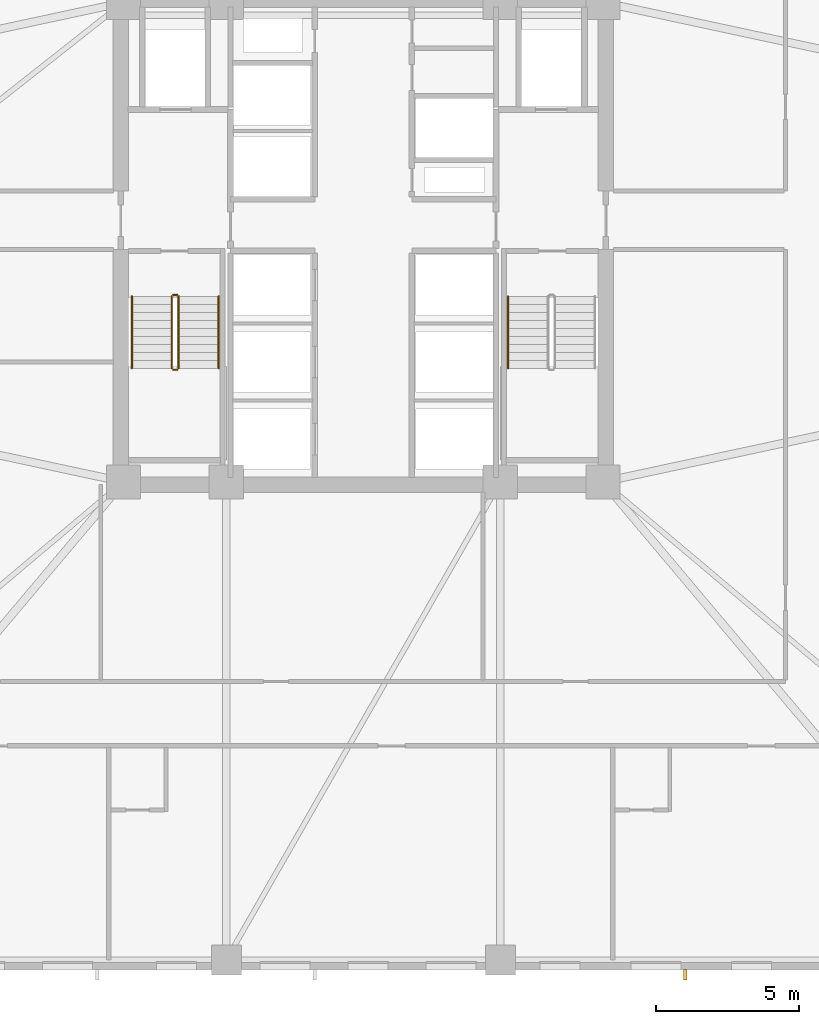
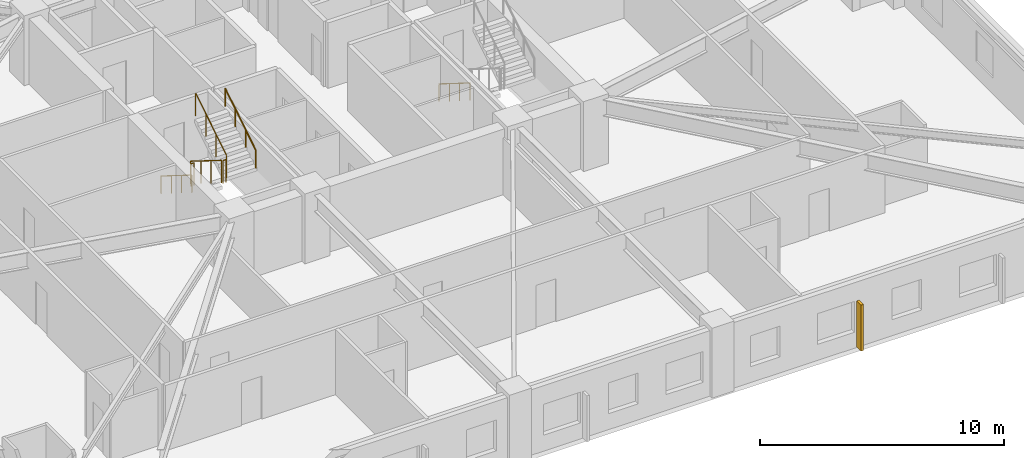
# One storey, part 8 of 11: 7 railings, 1 shading device.
"""IFC4 building model written with IfcOpenShell, lengths in metres."""

from ifc_helpers import new_model, si_unit, direction, frame, origin, origin_2d, place, context, subcontext, project, spatial, rectangle, circle, extrude, material, type_object, element, save


model = new_model("IFC4")

# Units and contexts
model_context = context("Model", 3, precision=1e-05, world=origin(), true_north=direction((0.0, 1.0)))
body_context = subcontext(model_context, "Body", "Model", "MODEL_VIEW")
ifc_project = project(units=[si_unit("LENGTHUNIT", "METRE"), si_unit("AREAUNIT", "SQUARE_METRE"), si_unit("VOLUMEUNIT", "CUBIC_METRE"), si_unit("PLANEANGLEUNIT", "RADIAN"), si_unit("MASSUNIT", "GRAM", prefix="KILO")], contexts=[model_context])

# Site, building, storey
site_placement = place(None, origin())
site = spatial("IfcSite", under=ifc_project, at=site_placement, CompositionType="ELEMENT")
building_placement = place(site_placement, origin())
building = spatial("IfcBuilding", under=site, at=building_placement, Name="Cairnveth Concourse Tower", CompositionType="ELEMENT")
storey_placement = place(building_placement, frame((0.0, 0.0, 65.5)))
storey = spatial("IfcBuildingStorey", under=building, at=storey_placement, Name="L17", CompositionType="ELEMENT", Elevation=65.5)

# Shading device
ifc_material_1 = material(Name="Architectural Bronze Anodised Aluminium 6063-T6", Category="aluminium")
shading_device_type = type_object("IfcShadingDeviceType", Name="GOTHIC BRONZE VERTICAL LANCET FIN", PredefinedType="USERDEFINED", material=ifc_material_1)
shading_device_placement = place(storey_placement, frame((63.284423828125, 13.324951171875, 0.02978515625), z_axis=(0.0, 0.0, 1.0), x_axis=(1.0, 0.0, 0.0)))
element("IfcShadingDevice", 1, at=shading_device_placement, inside=storey, type_object=shading_device_type, Name="Gothic Bronze Vertical Fin L17-3-3", ObjectType="VERTICAL FIN", PredefinedType="USERDEFINED", context=body_context, shape_type="SweptSolid", body=[
    extrude(rectangle(XDim=0.1201171875, YDim=0.360107421875, at=origin_2d()), origin(), (0.0, 0.0, 1.0), 2.303955078125),
])

# Railings
ifc_material_2 = material(Name="Steel Grade 350", Category="steel")
railing_type_1 = type_object("IfcRailingType", Name="STAIR GUARDRAIL 1150", PredefinedType="GUARDRAIL", material=ifc_material_2)
railing_1_placement = place(storey_placement, frame((45.2900390625, 37.10009765625, 0.175048828125)))
element("IfcRailing", 2, at=railing_1_placement, inside=storey, type_object=railing_type_1, Name="L17 ST-1 stair guard 1", PredefinedType="GUARDRAIL", context=body_context, shape_type="SweptSolid", body=[
    extrude(circle(Radius=0.02392578125, at=origin_2d()), frame((0.0, 0.0, 1.1259765625), z_axis=(0.0, -0.848007534815, 0.529984170421), x_axis=(1.0, 0.0, 0.0)), (0.0, 0.0, 1.0), 2.9716796875),
    extrude(circle(Radius=0.02099609375, at=origin_2d()), origin(), (0.0, 0.0, 1.0), 1.101806640625),
    extrude(circle(Radius=0.02099609375, at=origin_2d()), frame((0.0, -0.840087890625, 0.52490234375)), (0.0, 0.0, 1.0), 1.101806640625),
    extrude(circle(Radius=0.02099609375, at=origin_2d()), frame((0.0, -1.679931640625, 1.050048828125)), (0.0, 0.0, 1.0), 1.101806640625),
    extrude(circle(Radius=0.02099609375, at=origin_2d()), frame((0.0, -2.52001953125, 1.574951171875)), (0.0, 0.0, 1.0), 1.101806640625),
])
railing_2_placement = place(storey_placement, frame((45.340087890625, 34.530029296875, 1.75)))
element("IfcRailing", 3, at=railing_2_placement, inside=storey, type_object=railing_type_1, Name="L17 ST-1 stair guard 2", PredefinedType="GUARDRAIL", context=body_context, shape_type="SweptSolid", body=[
    extrude(circle(Radius=0.02392578125, at=origin_2d()), frame((0.0, 0.0, 1.1259765625), z_axis=(1.0, 0.0, 0.0), x_axis=(0.0, 1.0, 0.0)), (0.0, 0.0, 1.0), 0.139892578125),
    extrude(circle(Radius=0.02099609375, at=origin_2d()), origin(), (0.0, 0.0, 1.0), 1.101806640625),
    extrude(circle(Radius=0.02099609375, at=origin_2d()), frame((0.139892578125, 0.0, 0.0)), (0.0, 0.0, 1.0), 1.101806640625),
])
railing_3_placement = place(storey_placement, frame((45.530029296875, 34.580078125, 1.925048828125)))
element("IfcRailing", 4, at=railing_3_placement, inside=storey, type_object=railing_type_1, Name="L17 ST-1 stair guard 3", PredefinedType="GUARDRAIL", context=body_context, shape_type="SweptSolid", body=[
    extrude(circle(Radius=0.02392578125, at=origin_2d()), frame((0.0, 0.0, 1.1259765625), z_axis=(0.0, 0.848007534815, 0.529984170421), x_axis=(-1.0, 0.0, 0.0)), (0.0, 0.0, 1.0), 2.9716796875),
    extrude(circle(Radius=0.02099609375, at=origin_2d()), origin(), (0.0, 0.0, 1.0), 1.101806640625),
    extrude(circle(Radius=0.02099609375, at=origin_2d()), frame((0.0, 0.840087890625, 0.52490234375)), (0.0, 0.0, 1.0), 1.101806640625),
    extrude(circle(Radius=0.02099609375, at=origin_2d()), frame((0.0, 1.679931640625, 1.050048828125)), (0.0, 0.0, 1.0), 1.101806640625),
    extrude(circle(Radius=0.02099609375, at=origin_2d()), frame((0.0, 2.52001953125, 1.574951171875)), (0.0, 0.0, 1.0), 1.101806640625),
])
railing_4_placement = place(storey_placement, frame((45.340087890625, 37.14990234375, 0.0)))
element("IfcRailing", 5, at=railing_4_placement, inside=storey, type_object=railing_type_1, Name="L17 ST-1 stair guard 4", PredefinedType="GUARDRAIL", context=body_context, shape_type="SweptSolid", body=[
    extrude(circle(Radius=0.02392578125, at=origin_2d()), frame((0.0, 0.0, 1.1259765625), z_axis=(1.0, 0.0, 0.0), x_axis=(0.0, 1.0, 0.0)), (0.0, 0.0, 1.0), 0.139892578125),
    extrude(circle(Radius=0.02099609375, at=origin_2d()), origin(), (0.0, 0.0, 1.0), 1.101806640625),
    extrude(circle(Radius=0.02099609375, at=origin_2d()), frame((0.139892578125, 0.0, 0.0)), (0.0, 0.0, 1.0), 1.101806640625),
])
railing_type_2 = type_object("IfcRailingType", Name="STAIR WALL HANDRAIL 900", PredefinedType="HANDRAIL", material=ifc_material_2)
railing_5_placement = place(storey_placement, frame((43.889892578125, 37.10009765625, 0.175048828125)))
element("IfcRailing", 6, at=railing_5_placement, inside=storey, type_object=railing_type_2, Name="L17 ST-1 stair handrail 1", PredefinedType="HANDRAIL", context=body_context, shape_type="SweptSolid", body=[
    extrude(circle(Radius=0.02392578125, at=origin_2d()), frame((0.0, 0.0, 0.8759765625), z_axis=(0.0, -0.848007534815, 0.529984170421), x_axis=(1.0, 0.0, 0.0)), (0.0, 0.0, 1.0), 2.9716796875),
    extrude(circle(Radius=0.02099609375, at=origin_2d()), origin(), (0.0, 0.0, 1.0), 0.851806640625),
    extrude(circle(Radius=0.02099609375, at=origin_2d()), frame((0.0, -0.840087890625, 0.52490234375)), (0.0, 0.0, 1.0), 0.851806640625),
    extrude(circle(Radius=0.02099609375, at=origin_2d()), frame((0.0, -1.679931640625, 1.050048828125)), (0.0, 0.0, 1.0), 0.851806640625),
    extrude(circle(Radius=0.02099609375, at=origin_2d()), frame((0.0, -2.52001953125, 1.574951171875)), (0.0, 0.0, 1.0), 0.851806640625),
])
railing_6_placement = place(storey_placement, frame((46.929931640625, 34.580078125, 1.925048828125)))
element("IfcRailing", 7, at=railing_6_placement, inside=storey, type_object=railing_type_2, Name="L17 ST-1 stair handrail 2", PredefinedType="HANDRAIL", context=body_context, shape_type="SweptSolid", body=[
    extrude(circle(Radius=0.02392578125, at=origin_2d()), frame((0.0, 0.0, 0.8759765625), z_axis=(0.0, 0.848007534815, 0.529984170421), x_axis=(-1.0, 0.0, 0.0)), (0.0, 0.0, 1.0), 2.9716796875),
    extrude(circle(Radius=0.02099609375, at=origin_2d()), origin(), (0.0, 0.0, 1.0), 0.851806640625),
    extrude(circle(Radius=0.02099609375, at=origin_2d()), frame((0.0, 0.840087890625, 0.52490234375)), (0.0, 0.0, 1.0), 0.851806640625),
    extrude(circle(Radius=0.02099609375, at=origin_2d()), frame((0.0, 1.679931640625, 1.050048828125)), (0.0, 0.0, 1.0), 0.851806640625),
    extrude(circle(Radius=0.02099609375, at=origin_2d()), frame((0.0, 2.52001953125, 1.574951171875)), (0.0, 0.0, 1.0), 0.851806640625),
])
railing_7_placement = place(storey_placement, frame((57.070068359375, 37.10009765625, 0.175048828125)))
element("IfcRailing", 8, at=railing_7_placement, inside=storey, type_object=railing_type_2, Name="L17 ST-2 stair handrail 1", PredefinedType="HANDRAIL", context=body_context, shape_type="SweptSolid", body=[
    extrude(circle(Radius=0.02392578125, at=origin_2d()), frame((0.0, 0.0, 0.8759765625), z_axis=(0.0, -0.848007534815, 0.529984170421), x_axis=(1.0, 0.0, 0.0)), (0.0, 0.0, 1.0), 2.9716796875),
    extrude(circle(Radius=0.02099609375, at=origin_2d()), origin(), (0.0, 0.0, 1.0), 0.851806640625),
    extrude(circle(Radius=0.02099609375, at=origin_2d()), frame((0.0, -0.840087890625, 0.52490234375)), (0.0, 0.0, 1.0), 0.851806640625),
    extrude(circle(Radius=0.02099609375, at=origin_2d()), frame((0.0, -1.679931640625, 1.050048828125)), (0.0, 0.0, 1.0), 0.851806640625),
    extrude(circle(Radius=0.02099609375, at=origin_2d()), frame((0.0, -2.52001953125, 1.574951171875)), (0.0, 0.0, 1.0), 0.851806640625),
])

save(model, "model.ifc")
